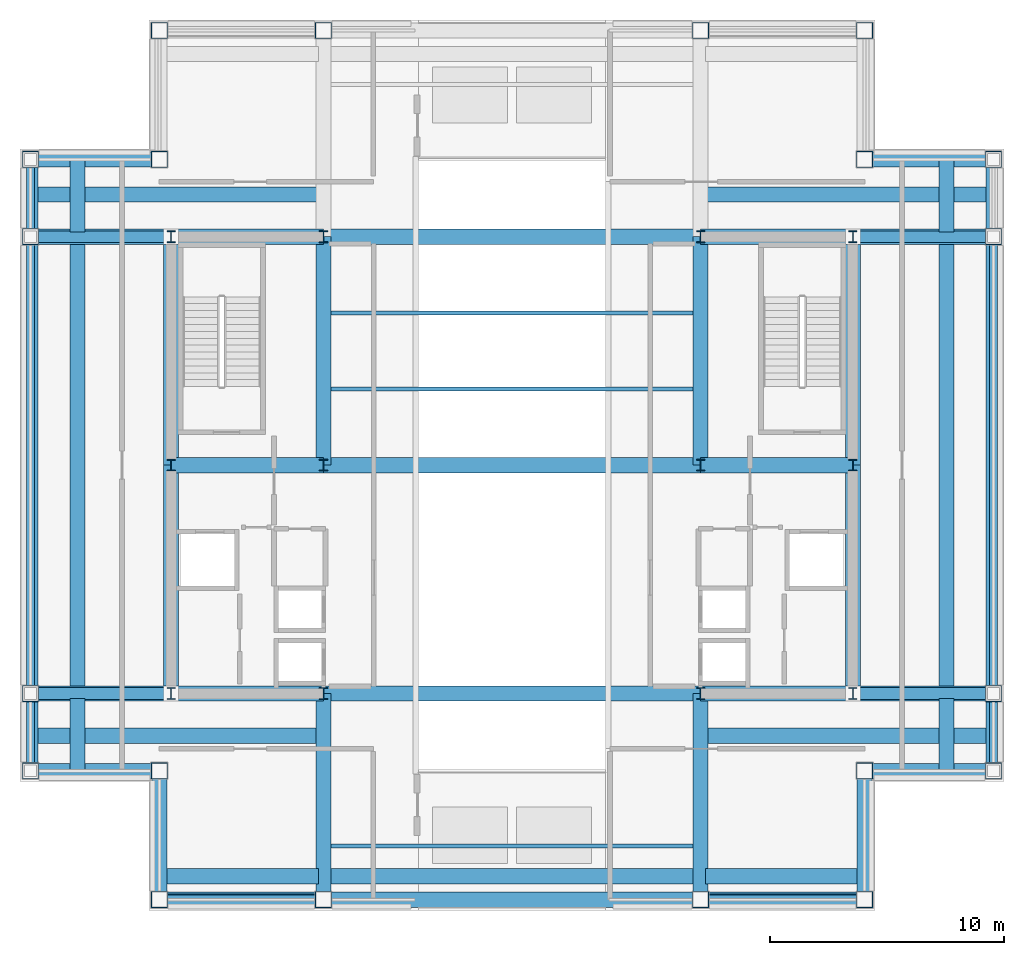
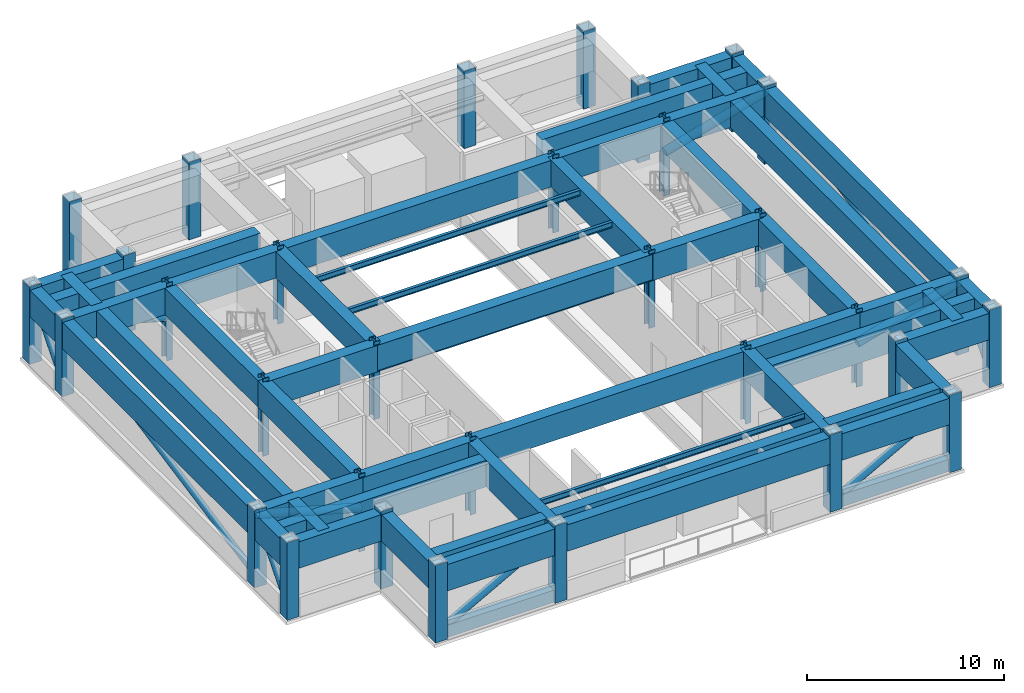
# One storey, part 1 of 8: 52 beams, 32 columns, 13 members.
"""IFC4 building model written with IfcOpenShell, lengths in metres."""

import ifcopenshell
import ifcopenshell.guid

model = None  # the IFC model being written
_history = None  # IfcOwnerHistory: only IFC2X3 demands one
_inside = {}  # id of a spatial element -> (the spatial element, [elements in it])
_under = {}  # id of a project, library or spatial element -> (it, [spatial elements below it])
_declared = {}  # id of a project -> (the project, [libraries it declares])
_typed = {}  # id of a type object -> (the type object, [elements of that type])
_made_of = {}  # id of a material, layer set ... -> (it, [elements and type objects made of it])


def new_model(schema):
    """Start an empty IFC model of exactly this schema.

    Asked for "IFC4X3", IfcOpenShell would pick the latest addendum, in which some entities
    have other attributes; the version numbers below select the first issue.
    IFC2X3 requires an IfcOwnerHistory on every rooted entity: one is made here for all.
    """
    global model, _history
    if schema == "IFC4X3":
        model = ifcopenshell.file(schema_version=(4, 3, 0, 0))
    else:
        model = ifcopenshell.file(schema=schema)
    _inside.clear()
    _under.clear()
    _declared.clear()
    _typed.clear()
    _made_of.clear()
    _history = None
    if model.schema == "IFC2X3":
        org = make("IfcOrganization", Name="unknown")
        user = make(
            "IfcPersonAndOrganization",
            ThePerson=make("IfcPerson", FamilyName="unknown"),
            TheOrganization=org,
        )
        app = make(
            "IfcApplication",
            ApplicationDeveloper=org,
            Version="unknown",
            ApplicationFullName="unknown",
            ApplicationIdentifier="unknown",
        )
        _history = make(
            "IfcOwnerHistory",
            OwningUser=user,
            OwningApplication=app,
            ChangeAction="ADDED",
            CreationDate=0,
        )
    return model


def make(cls, **values):
    """One entity of the class cls with the attributes given. An attribute that is None is left unset."""
    return model.create_entity(
        cls, **{name: value for name, value in values.items() if value is not None}
    )


def rooted(cls, **values):
    """An entity with a GlobalId (a new one), such as an element, a storey or a relation."""
    return make(cls, GlobalId=ifcopenshell.guid.new(), OwnerHistory=_history, **values)


def si_unit(unit_type, name, prefix=None):
    """IfcSIUnit, for example si_unit("LENGTHUNIT", "METRE", prefix="MILLI")."""
    return make("IfcSIUnit", UnitType=unit_type, Prefix=prefix, Name=name)


def assignment(units):
    """IfcUnitAssignment: the units of a project."""
    return None if units is None else make("IfcUnitAssignment", Units=units)


def point(xyz):
    """IfcCartesianPoint."""
    return None if xyz is None else make("IfcCartesianPoint", Coordinates=xyz)


def direction(xyz):
    """IfcDirection."""
    return None if xyz is None else make("IfcDirection", DirectionRatios=xyz)


def frame(location, z_axis=None, x_axis=None):
    """IfcAxis2Placement3D, a coordinate frame: its origin and axes. An axis left out is left unset."""
    return make(
        "IfcAxis2Placement3D",
        Location=point(location),
        Axis=direction(z_axis),
        RefDirection=direction(x_axis),
    )


def frame_2d(location, x_axis=None):
    """IfcAxis2Placement2D, a coordinate frame in the plane: its origin and x axis."""
    return make(
        "IfcAxis2Placement2D", Location=point(location), RefDirection=direction(x_axis)
    )


def origin():
    """The frame at (0, 0, 0) with its axes left unset."""
    return frame((0.0, 0.0, 0.0))


def origin_2d():
    """The frame at (0, 0) in the plane with its x axis left unset."""
    return frame_2d((0.0, 0.0))


def place(relative_to, where):
    """IfcLocalPlacement: puts the frame where relative to a parent placement (None: the world)."""
    return make(
        "IfcLocalPlacement", PlacementRelTo=relative_to, RelativePlacement=where
    )


def context(
    kind, dimensions, precision=None, world=None, true_north=None, identifier=None
):
    """IfcGeometricRepresentationContext, for example the 3D "Model" context."""
    return make(
        "IfcGeometricRepresentationContext",
        ContextIdentifier=identifier,
        ContextType=kind,
        CoordinateSpaceDimension=dimensions,
        Precision=precision,
        WorldCoordinateSystem=world,
        TrueNorth=true_north,
    )


def subcontext(parent, identifier, kind, view, scale=None):
    """IfcGeometricRepresentationSubContext, for example "Body" below "Model"."""
    return make(
        "IfcGeometricRepresentationSubContext",
        ContextIdentifier=identifier,
        ContextType=kind,
        ParentContext=parent,
        TargetScale=scale,
        TargetView=view,
    )


def project(units=None, contexts=None):
    """IfcProject with its units and contexts."""
    return rooted(
        "IfcProject",
        Name="project",
        RepresentationContexts=contexts,
        UnitsInContext=assignment(units),
    )


def spatial(cls, under=None, at=None, **own):
    """A site, building, storey or space (cls), placed at a placement, below another one or the project."""
    s = rooted(cls, ObjectPlacement=at, **own)
    if under is not None:
        _under.setdefault(under.id(), (under, []))[1].append(s)
    return s


def profile(cls, at=None, kind="AREA", **sizes):
    """A parametric profile (cls). Its sizes go by their IFC names, for example OverallWidth=200.0."""
    return make(cls, ProfileType=kind, Position=at, **sizes)


def hollow_rectangle(**sizes):
    """IfcRectangleHollowProfileDef."""
    return profile("IfcRectangleHollowProfileDef", **sizes)


def hollow_circle(**sizes):
    """IfcCircleHollowProfileDef."""
    return profile("IfcCircleHollowProfileDef", **sizes)


def i_section(**sizes):
    """IfcIShapeProfileDef."""
    return profile("IfcIShapeProfileDef", **sizes)


def extrude(swept, where, along, depth):
    """IfcExtrudedAreaSolid: the profile swept, set in the frame where, extruded along a direction by depth."""
    return make(
        "IfcExtrudedAreaSolid",
        SweptArea=swept,
        Position=where,
        ExtrudedDirection=direction(along),
        Depth=depth,
    )


def shape(context_of_items, identifier, shape_type, items):
    """IfcShapeRepresentation: the items that make up one representation, for example the "Body"."""
    return make(
        "IfcShapeRepresentation",
        ContextOfItems=context_of_items,
        RepresentationIdentifier=identifier,
        RepresentationType=shape_type,
        Items=items,
    )


def material(Name=None, Category=None):
    """IfcMaterial."""
    return make("IfcMaterial", Name=Name, Category=Category)


def material_profile(
    of_material, cross_section, Name=None, Category=None, Priority=None
):
    """IfcMaterialProfile: a cross section and its material."""
    return make(
        "IfcMaterialProfile",
        Name=Name,
        Material=of_material,
        Profile=cross_section,
        Priority=Priority,
        Category=Category,
    )


def profile_set(profiles, Name=None, composite=None):
    """IfcMaterialProfileSet."""
    return make(
        "IfcMaterialProfileSet",
        Name=Name,
        MaterialProfiles=profiles,
        CompositeProfile=composite,
    )


def made_of(thing, what):
    """Note that an element or type object is made of a material, layer set ...; save() writes the relation."""
    if what is not None:
        _made_of.setdefault(what.id(), (what, []))[1].append(thing)
    return thing


def type_object(cls, material=None, **own):
    """A type object (cls), such as IfcWallType, which elements share."""
    return made_of(rooted(cls, **own), material)


def element(
    cls,
    number,
    at=None,
    inside=None,
    cuts=None,
    type_object=None,
    material=None,
    context=None,
    identifier="Body",
    shape_type=None,
    held_by="IfcProductDefinitionShape",
    body=None,
    shapes=None,
    **own,
):
    """One element of the class cls, such as IfcWall. Its Tag is "e" and its number.

    at: its placement. inside: the storey or other place that contains it. cuts: it is an
    opening in that element (IfcRelVoidsElement). A single representation is given by context,
    identifier, shape_type and body (its items); several are given by shapes. held_by: the class
    of the entity that holds the representations. save() writes the other relations.
    """
    e = rooted(cls, Tag="e%d" % number, ObjectPlacement=at, **own)
    if body is not None:
        shapes = [shape(context, identifier, shape_type, body)]
    if shapes is not None:
        e.Representation = make(held_by, Representations=shapes)
    if inside is not None:
        _inside.setdefault(inside.id(), (inside, []))[1].append(e)
    if cuts is not None:
        rooted(
            "IfcRelVoidsElement", RelatingBuildingElement=cuts, RelatedOpeningElement=e
        )
    if type_object is not None:
        _typed.setdefault(type_object.id(), (type_object, []))[1].append(e)
    return made_of(e, material)


def aggregate(whole, parts):
    """IfcRelAggregates: a whole, such as a stair, and the parts it consists of."""
    return rooted("IfcRelAggregates", RelatingObject=whole, RelatedObjects=parts)


def save(model, path):
    """Write the relations noted so far, then the file.

    IfcRelAggregates (storeys below a building ...), IfcRelContainedInSpatialStructure (elements
    in a storey), IfcRelDefinesByType, IfcRelAssociatesMaterial and IfcRelDeclares: one each for
    every whole, place, type object, material and project.
    """
    for whole, parts in _under.values():
        aggregate(whole, parts)
    for where, things in _inside.values():
        rooted(
            "IfcRelContainedInSpatialStructure",
            RelatedElements=things,
            RelatingStructure=where,
        )
    for kind, things in _typed.values():
        rooted("IfcRelDefinesByType", RelatedObjects=things, RelatingType=kind)
    for what, things in _made_of.values():
        rooted("IfcRelAssociatesMaterial", RelatedObjects=things, RelatingMaterial=what)
    for by, libraries in _declared.values():
        rooted("IfcRelDeclares", RelatingContext=by, RelatedDefinitions=libraries)
    model.write(path)


model = new_model("IFC4")

# Units and contexts
model_context = context("Model", 3, precision=1e-05, world=origin(), true_north=direction((0.0, 1.0)))
body_context = subcontext(model_context, "Body", "Model", "MODEL_VIEW")
ifc_project = project(units=[si_unit("LENGTHUNIT", "METRE"), si_unit("AREAUNIT", "SQUARE_METRE"), si_unit("VOLUMEUNIT", "CUBIC_METRE"), si_unit("PLANEANGLEUNIT", "RADIAN"), si_unit("MASSUNIT", "GRAM", prefix="KILO")], contexts=[model_context])

# Site, building, storey
site_placement = place(None, origin())
site = spatial("IfcSite", under=ifc_project, at=site_placement, CompositionType="ELEMENT")
building_placement = place(site_placement, origin())
building = spatial("IfcBuilding", under=site, at=building_placement, Name="Brelmoor Portico Tower", CompositionType="ELEMENT")
storey_placement = place(building_placement, frame((0.0, 0.0, 209.10009765625)))
storey = spatial("IfcBuildingStorey", under=building, at=storey_placement, Name="L55", CompositionType="ELEMENT", Elevation=209.10009765625)

# Columns
ifc_material = material(Name="Steel Q355B", Category="steel")
ifc_material_profile_1 = material_profile(ifc_material, hollow_rectangle(XDim=0.699951171875, YDim=0.699951171875, WallThickness=0.030029296875, at=origin_2d()), Name="BOX 700x700x30")
ifc_profile_set_1 = profile_set([ifc_material_profile_1], Name="Steel Q355B")
column_type_1 = type_object("IfcColumnType", Name="COL-MEGA-700", PredefinedType="COLUMN", material=ifc_profile_set_1)
for number, where, z_axis, x_axis, name in (
    (1, (-15.050048828125, -18.550048828125, 0.0), (0.0, 0.0, 1.0), (1.0, 0.0, 0.0), "L55 Perimeter Mega-Column PS01"),
    (2, (-8.050048828125, -18.550048828125, 0.0), (0.0, 0.0, 1.0), (1.0, 0.0, 0.0), "L55 Perimeter Mega-Column PS02"),
    (3, (8.050048828125, -18.550048828125, 0.0), (0.0, 0.0, 1.0), (1.0, 0.0, 0.0), "L55 Perimeter Mega-Column PS03"),
    (4, (15.050048828125, -18.550048828125, 0.0), (0.0, 0.0, 1.0), (1.0, 0.0, 0.0), "L55 Perimeter Mega-Column PS04"),
    (5, (-15.050048828125, 18.550048828125, 0.0), (0.0, 0.0, 1.0), (1.0, 0.0, 0.0), "L55 Perimeter Mega-Column PN01"),
    (6, (-8.050048828125, 18.550048828125, 0.0), (0.0, 0.0, 1.0), (1.0, 0.0, 0.0), "L55 Perimeter Mega-Column PN02"),
    (7, (8.050048828125, 18.550048828125, 0.0), (0.0, 0.0, 1.0), (1.0, 0.0, 0.0), "L55 Perimeter Mega-Column PN03"),
    (8, (15.050048828125, 18.550048828125, 0.0), (0.0, 0.0, 1.0), (1.0, 0.0, 0.0), "L55 Perimeter Mega-Column PN04"),
    (9, (-20.550048828125, -13.050048828125, 0.0), (0.0, 0.0, 1.0), (0.0, 1.0, 0.0), "L55 Perimeter Mega-Column PW01"),
    (10, (-20.550048828125, -9.75, 0.0), (0.0, 0.0, 1.0), (0.0, 1.0, 0.0), "L55 Perimeter Mega-Column PW02"),
    (11, (-20.550048828125, 9.75, 0.0), (0.0, 0.0, 1.0), (0.0, 1.0, 0.0), "L55 Perimeter Mega-Column PW03"),
    (12, (-20.550048828125, 13.050048828125, 0.0), (0.0, 0.0, 1.0), (0.0, 1.0, 0.0), "L55 Perimeter Mega-Column PW04"),
    (13, (20.550048828125, -13.050048828125, 0.0), (0.0, 0.0, 1.0), (0.0, 1.0, 0.0), "L55 Perimeter Mega-Column PE01"),
    (14, (20.550048828125, -9.75, 0.0), (0.0, 0.0, 1.0), (0.0, 1.0, 0.0), "L55 Perimeter Mega-Column PE02"),
    (15, (20.550048828125, 9.75, 0.0), (0.0, 0.0, 1.0), (0.0, 1.0, 0.0), "L55 Perimeter Mega-Column PE03"),
    (16, (20.550048828125, 13.050048828125, 0.0), (0.0, 0.0, 1.0), (0.0, 1.0, 0.0), "L55 Perimeter Mega-Column PE04"),
    (17, (-15.050048828125, 13.050048828125, 0.0), (0.0, 0.0, 1.0), (1.0, 0.0, 0.0), "L55 Perimeter Mega-Column PC-NW"),
    (18, (15.050048828125, 13.050048828125, 0.0), (0.0, 0.0, 1.0), (1.0, 0.0, 0.0), "L55 Perimeter Mega-Column PC-NE"),
    (19, (15.050048828125, -13.050048828125, 0.0), (0.0, 0.0, 1.0), (1.0, 0.0, 0.0), "L55 Perimeter Mega-Column PC-SE"),
    (20, (-15.050048828125, -13.050048828125, 0.0), (0.0, 0.0, 1.0), (1.0, 0.0, 0.0), "L55 Perimeter Mega-Column PC-SW"),
):
    element("IfcColumn", number, at=place(storey_placement, frame(where, z_axis=z_axis, x_axis=x_axis)), inside=storey, type_object=column_type_1, Name=name, PredefinedType="COLUMN", context=body_context, shape_type="SweptSolid", body=[
        extrude(hollow_rectangle(XDim=0.699951171875, YDim=0.699951171875, WallThickness=0.030029296875, at=origin_2d()), origin(), (0.0, 0.0, 1.0), 4.7998046875),
    ])
ifc_material_profile_2 = material_profile(ifc_material, i_section(OverallWidth=0.35009765625, OverallDepth=0.5, WebThickness=0.02001953125, FlangeThickness=0.031982421875, at=origin_2d()), Name="HW 500x350x20x32")
ifc_profile_set_2 = profile_set([ifc_material_profile_2], Name="Steel Q355B")
column_type_2 = type_object("IfcColumnType", Name="COL-SPINE-500", PredefinedType="COLUMN", material=ifc_profile_set_2)
for number, where, z_axis, x_axis, name in (
    (21, (-14.550048828125, -9.75, 0.0), (0.0, 0.0, 1.0), (1.0, 0.0, 0.0), "L55 Core Spine Column CW-SW"),
    (22, (-14.550048828125, 0.0, 0.0), (0.0, 0.0, 1.0), (1.0, 0.0, 0.0), "L55 Core Spine Column CW-MW"),
    (23, (-14.550048828125, 9.75, 0.0), (0.0, 0.0, 1.0), (1.0, 0.0, 0.0), "L55 Core Spine Column CW-NW"),
    (24, (-8.050048828125, -9.75, 0.0), (0.0, 0.0, 1.0), (1.0, 0.0, 0.0), "L55 Core Spine Column CW-SE"),
    (25, (-8.050048828125, 0.0, 0.0), (0.0, 0.0, 1.0), (1.0, 0.0, 0.0), "L55 Core Spine Column CW-ME"),
    (26, (-8.050048828125, 9.75, 0.0), (0.0, 0.0, 1.0), (1.0, 0.0, 0.0), "L55 Core Spine Column CW-NE"),
    (27, (8.050048828125, -9.75, 0.0), (0.0, 0.0, 1.0), (1.0, 0.0, 0.0), "L55 Core Spine Column CE-SW"),
    (28, (8.050048828125, 0.0, 0.0), (0.0, 0.0, 1.0), (1.0, 0.0, 0.0), "L55 Core Spine Column CE-MW"),
    (29, (8.050048828125, 9.75, 0.0), (0.0, 0.0, 1.0), (1.0, 0.0, 0.0), "L55 Core Spine Column CE-NW"),
    (30, (14.550048828125, -9.75, 0.0), (0.0, 0.0, 1.0), (1.0, 0.0, 0.0), "L55 Core Spine Column CE-SE"),
    (31, (14.550048828125, 0.0, 0.0), (0.0, 0.0, 1.0), (1.0, 0.0, 0.0), "L55 Core Spine Column CE-ME"),
    (32, (14.550048828125, 9.75, 0.0), (0.0, 0.0, 1.0), (1.0, 0.0, 0.0), "L55 Core Spine Column CE-NE"),
):
    element("IfcColumn", number, at=place(storey_placement, frame(where, z_axis=z_axis, x_axis=x_axis)), inside=storey, type_object=column_type_2, Name=name, PredefinedType="COLUMN", context=body_context, shape_type="SweptSolid", body=[
        extrude(i_section(OverallWidth=0.35009765625, OverallDepth=0.5, WebThickness=0.02001953125, FlangeThickness=0.031982421875, at=origin_2d()), origin(), (0.0, 0.0, 1.0), 4.7998046875),
    ])

# Beams
ifc_material_profile_3 = material_profile(ifc_material, i_section(OverallWidth=0.175048828125, OverallDepth=0.35009765625, WebThickness=0.007080078125, FlangeThickness=0.010986328125, at=origin_2d()), Name="HN 350x175x7x11")
ifc_profile_set_3 = profile_set([ifc_material_profile_3], Name="Steel Q355B")
beam_type_1 = type_object("IfcBeamType", Name="BM-JS-350", PredefinedType="JOIST", material=ifc_profile_set_3)
for number, where, z_axis, x_axis, name in (
    (33, (-7.72509765625, -16.25, 4.4248046875), (1.0, 0.0, 0.0), (0.0, 1.0, 0.0), "L55 Secondary Composite Joist JS-C01"),
    (34, (-7.72509765625, 3.25, 4.4248046875), (1.0, 0.0, 0.0), (0.0, 1.0, 0.0), "L55 Secondary Composite Joist JS-C02"),
    (35, (-7.72509765625, 6.5, 4.4248046875), (1.0, 0.0, 0.0), (0.0, 1.0, 0.0), "L55 Secondary Composite Joist JS-C03"),
):
    element("IfcBeam", number, at=place(storey_placement, frame(where, z_axis=z_axis, x_axis=x_axis)), inside=storey, type_object=beam_type_1, Name=name, PredefinedType="JOIST", context=body_context, shape_type="SweptSolid", body=[
        extrude(i_section(OverallWidth=0.175048828125, OverallDepth=0.35009765625, WebThickness=0.007080078125, FlangeThickness=0.010986328125, at=origin_2d()), origin(), (0.0, 0.0, 1.0), 15.4501953125),
    ])
ifc_material_profile_4 = material_profile(ifc_material, hollow_rectangle(XDim=0.64990234375, YDim=1.639892578125, WallThickness=0.035888671875, at=origin_2d()), Name="BOX 650x1640x36")
ifc_profile_set_4 = profile_set([ifc_material_profile_4], Name="Steel Q355B")
beam_type_2 = type_object("IfcBeamType", Name="BM-TG-Z4", PredefinedType="BEAM", material=ifc_profile_set_4)
beam_1_placement = place(storey_placement, frame((-15.050048828125, -18.550048828125, 3.77978515625), z_axis=(1.0, 0.0, 0.0), x_axis=(0.0, 1.0, 0.0)))
element("IfcBeam", 36, at=beam_1_placement, inside=storey, type_object=beam_type_2, Name="L55 Perimeter Transfer Beam SP-01", PredefinedType="BEAM", context=body_context, shape_type="SweptSolid", body=[
    extrude(hollow_rectangle(XDim=0.64990234375, YDim=1.639892578125, WallThickness=0.035888671875, at=origin_2d()), origin(), (0.0, 0.0, 1.0), 7.0),
])
beam_2_placement = place(storey_placement, frame((-8.050048828125, -18.550048828125, 3.77978515625), z_axis=(1.0, 0.0, 0.0), x_axis=(0.0, 1.0, 0.0)))
element("IfcBeam", 37, at=beam_2_placement, inside=storey, type_object=beam_type_2, Name="L55 Perimeter Transfer Beam SP-02", PredefinedType="BEAM", context=body_context, shape_type="SweptSolid", body=[
    extrude(hollow_rectangle(XDim=0.64990234375, YDim=1.639892578125, WallThickness=0.035888671875, at=origin_2d()), origin(), (0.0, 0.0, 1.0), 16.10009765625),
])
beam_3_placement = place(storey_placement, frame((8.050048828125, -18.550048828125, 3.77978515625), z_axis=(1.0, 0.0, 0.0), x_axis=(0.0, 1.0, 0.0)))
element("IfcBeam", 38, at=beam_3_placement, inside=storey, type_object=beam_type_2, Name="L55 Perimeter Transfer Beam SP-03", PredefinedType="BEAM", context=body_context, shape_type="SweptSolid", body=[
    extrude(hollow_rectangle(XDim=0.64990234375, YDim=1.639892578125, WallThickness=0.035888671875, at=origin_2d()), origin(), (0.0, 0.0, 1.0), 7.0),
])
for number, where, z_axis, x_axis, name in (
    (39, (-20.550048828125, -13.050048828125, 3.77978515625), (1.0, 0.0, 0.0), (0.0, 1.0, 0.0), "L55 Perimeter Transfer Beam SP-04"),
    (40, (15.050048828125, -13.050048828125, 3.77978515625), (1.0, 0.0, 0.0), (0.0, 1.0, 0.0), "L55 Perimeter Transfer Beam SP-05"),
    (41, (-20.550048828125, 13.050048828125, 3.77978515625), (1.0, 0.0, 0.0), (0.0, 1.0, 0.0), "L55 Perimeter Transfer Beam SP-06"),
    (42, (15.050048828125, 13.050048828125, 3.77978515625), (1.0, 0.0, 0.0), (0.0, 1.0, 0.0), "L55 Perimeter Transfer Beam SP-07"),
):
    element("IfcBeam", number, at=place(storey_placement, frame(where, z_axis=z_axis, x_axis=x_axis)), inside=storey, type_object=beam_type_2, Name=name, PredefinedType="BEAM", context=body_context, shape_type="SweptSolid", body=[
        extrude(hollow_rectangle(XDim=0.64990234375, YDim=1.639892578125, WallThickness=0.035888671875, at=origin_2d()), origin(), (0.0, 0.0, 1.0), 5.5),
    ])
beam_4_placement = place(storey_placement, frame((-20.550048828125, -13.050048828125, 3.77978515625), z_axis=(0.0, 1.0, 0.0), x_axis=(-1.0, 0.0, 0.0)))
element("IfcBeam", 43, at=beam_4_placement, inside=storey, type_object=beam_type_2, Name="L55 Perimeter Transfer Beam SP-11", PredefinedType="BEAM", context=body_context, shape_type="SweptSolid", body=[
    extrude(hollow_rectangle(XDim=0.64990234375, YDim=1.639892578125, WallThickness=0.035888671875, at=origin_2d()), origin(), (0.0, 0.0, 1.0), 3.300048828125),
])
beam_5_placement = place(storey_placement, frame((-20.550048828125, -9.75, 3.77978515625), z_axis=(0.0, 1.0, 0.0), x_axis=(-1.0, 0.0, 0.0)))
element("IfcBeam", 44, at=beam_5_placement, inside=storey, type_object=beam_type_2, Name="L55 Perimeter Transfer Beam SP-12", PredefinedType="BEAM", context=body_context, shape_type="SweptSolid", body=[
    extrude(hollow_rectangle(XDim=0.64990234375, YDim=1.639892578125, WallThickness=0.035888671875, at=origin_2d()), origin(), (0.0, 0.0, 1.0), 19.5),
])
beam_6_placement = place(storey_placement, frame((-20.550048828125, 9.75, 3.77978515625), z_axis=(0.0, 1.0, 0.0), x_axis=(-1.0, 0.0, 0.0)))
element("IfcBeam", 45, at=beam_6_placement, inside=storey, type_object=beam_type_2, Name="L55 Perimeter Transfer Beam SP-13", PredefinedType="BEAM", context=body_context, shape_type="SweptSolid", body=[
    extrude(hollow_rectangle(XDim=0.64990234375, YDim=1.639892578125, WallThickness=0.035888671875, at=origin_2d()), origin(), (0.0, 0.0, 1.0), 3.300048828125),
])
for number, where, z_axis, x_axis, name in (
    (46, (-15.050048828125, -18.550048828125, 3.77978515625), (0.0, 1.0, 0.0), (-1.0, 0.0, 0.0), "L55 Perimeter Transfer Beam SP-14"),
    (47, (15.050048828125, -18.550048828125, 3.77978515625), (0.0, 1.0, 0.0), (-1.0, 0.0, 0.0), "L55 Perimeter Transfer Beam SP-16"),
):
    element("IfcBeam", number, at=place(storey_placement, frame(where, z_axis=z_axis, x_axis=x_axis)), inside=storey, type_object=beam_type_2, Name=name, PredefinedType="BEAM", context=body_context, shape_type="SweptSolid", body=[
        extrude(hollow_rectangle(XDim=0.64990234375, YDim=1.639892578125, WallThickness=0.035888671875, at=origin_2d()), origin(), (0.0, 0.0, 1.0), 5.5),
    ])
beam_7_placement = place(storey_placement, frame((20.550048828125, -13.050048828125, 3.77978515625), z_axis=(0.0, 1.0, 0.0), x_axis=(-1.0, 0.0, 0.0)))
element("IfcBeam", 48, at=beam_7_placement, inside=storey, type_object=beam_type_2, Name="L55 Perimeter Transfer Beam SP-18", PredefinedType="BEAM", context=body_context, shape_type="SweptSolid", body=[
    extrude(hollow_rectangle(XDim=0.64990234375, YDim=1.639892578125, WallThickness=0.035888671875, at=origin_2d()), origin(), (0.0, 0.0, 1.0), 3.300048828125),
])
beam_8_placement = place(storey_placement, frame((20.550048828125, -9.75, 3.77978515625), z_axis=(0.0, 1.0, 0.0), x_axis=(-1.0, 0.0, 0.0)))
element("IfcBeam", 49, at=beam_8_placement, inside=storey, type_object=beam_type_2, Name="L55 Perimeter Transfer Beam SP-19", PredefinedType="BEAM", context=body_context, shape_type="SweptSolid", body=[
    extrude(hollow_rectangle(XDim=0.64990234375, YDim=1.639892578125, WallThickness=0.035888671875, at=origin_2d()), origin(), (0.0, 0.0, 1.0), 19.5),
])
beam_9_placement = place(storey_placement, frame((20.550048828125, 9.75, 3.77978515625), z_axis=(0.0, 1.0, 0.0), x_axis=(-1.0, 0.0, 0.0)))
element("IfcBeam", 50, at=beam_9_placement, inside=storey, type_object=beam_type_2, Name="L55 Perimeter Transfer Beam SP-20", PredefinedType="BEAM", context=body_context, shape_type="SweptSolid", body=[
    extrude(hollow_rectangle(XDim=0.64990234375, YDim=1.639892578125, WallThickness=0.035888671875, at=origin_2d()), origin(), (0.0, 0.0, 1.0), 3.300048828125),
])
for number, where, z_axis, x_axis, name in (
    (51, (-14.550048828125, -9.75, 3.77978515625), (0.0, 1.0, 0.0), (-1.0, 0.0, 0.0), "L55 Setback Transfer Girder PG-01"),
    (52, (-14.550048828125, 0.0, 3.77978515625), (0.0, 1.0, 0.0), (-1.0, 0.0, 0.0), "L55 Setback Transfer Girder PG-02"),
):
    element("IfcBeam", number, at=place(storey_placement, frame(where, z_axis=z_axis, x_axis=x_axis)), inside=storey, type_object=beam_type_2, Name=name, PredefinedType="BEAM", context=body_context, shape_type="SweptSolid", body=[
        extrude(hollow_rectangle(XDim=0.64990234375, YDim=1.639892578125, WallThickness=0.035888671875, at=origin_2d()), origin(), (0.0, 0.0, 1.0), 9.75),
    ])
beam_10_placement = place(storey_placement, frame((-8.050048828125, -18.550048828125, 3.77978515625), z_axis=(0.0, 1.0, 0.0), x_axis=(-1.0, 0.0, 0.0)))
element("IfcBeam", 53, at=beam_10_placement, inside=storey, type_object=beam_type_2, Name="L55 Setback Transfer Girder PG-03", PredefinedType="BEAM", context=body_context, shape_type="SweptSolid", body=[
    extrude(hollow_rectangle(XDim=0.64990234375, YDim=1.639892578125, WallThickness=0.035888671875, at=origin_2d()), origin(), (0.0, 0.0, 1.0), 8.800048828125),
])
beam_11_placement = place(storey_placement, frame((-8.050048828125, 0.0, 3.77978515625), z_axis=(0.0, 1.0, 0.0), x_axis=(-1.0, 0.0, 0.0)))
element("IfcBeam", 54, at=beam_11_placement, inside=storey, type_object=beam_type_2, Name="L55 Setback Transfer Girder PG-04", PredefinedType="BEAM", context=body_context, shape_type="SweptSolid", body=[
    extrude(hollow_rectangle(XDim=0.64990234375, YDim=1.639892578125, WallThickness=0.035888671875, at=origin_2d()), origin(), (0.0, 0.0, 1.0), 9.75),
])
beam_12_placement = place(storey_placement, frame((8.050048828125, -18.550048828125, 3.77978515625), z_axis=(0.0, 1.0, 0.0), x_axis=(-1.0, 0.0, 0.0)))
element("IfcBeam", 55, at=beam_12_placement, inside=storey, type_object=beam_type_2, Name="L55 Setback Transfer Girder PG-06", PredefinedType="BEAM", context=body_context, shape_type="SweptSolid", body=[
    extrude(hollow_rectangle(XDim=0.64990234375, YDim=1.639892578125, WallThickness=0.035888671875, at=origin_2d()), origin(), (0.0, 0.0, 1.0), 8.800048828125),
])
for number, where, z_axis, x_axis, name in (
    (56, (8.050048828125, 0.0, 3.77978515625), (0.0, 1.0, 0.0), (-1.0, 0.0, 0.0), "L55 Setback Transfer Girder PG-07"),
    (57, (14.550048828125, -9.75, 3.77978515625), (0.0, 1.0, 0.0), (-1.0, 0.0, 0.0), "L55 Setback Transfer Girder PG-09"),
    (58, (14.550048828125, 0.0, 3.77978515625), (0.0, 1.0, 0.0), (-1.0, 0.0, 0.0), "L55 Setback Transfer Girder PG-10"),
):
    element("IfcBeam", number, at=place(storey_placement, frame(where, z_axis=z_axis, x_axis=x_axis)), inside=storey, type_object=beam_type_2, Name=name, PredefinedType="BEAM", context=body_context, shape_type="SweptSolid", body=[
        extrude(hollow_rectangle(XDim=0.64990234375, YDim=1.639892578125, WallThickness=0.035888671875, at=origin_2d()), origin(), (0.0, 0.0, 1.0), 9.75),
    ])
beam_13_placement = place(storey_placement, frame((-20.550048828125, -9.75, 3.77978515625), z_axis=(1.0, 0.0, 0.0), x_axis=(0.0, 1.0, 0.0)))
element("IfcBeam", 59, at=beam_13_placement, inside=storey, type_object=beam_type_2, Name="L55 Setback Transfer Girder PG-11", PredefinedType="BEAM", context=body_context, shape_type="SweptSolid", body=[
    extrude(hollow_rectangle(XDim=0.64990234375, YDim=1.639892578125, WallThickness=0.035888671875, at=origin_2d()), origin(), (0.0, 0.0, 1.0), 6.0),
])
beam_14_placement = place(storey_placement, frame((-14.550048828125, -9.75, 3.77978515625), z_axis=(1.0, 0.0, 0.0), x_axis=(0.0, 1.0, 0.0)))
element("IfcBeam", 60, at=beam_14_placement, inside=storey, type_object=beam_type_2, Name="L55 Setback Transfer Girder PG-12", PredefinedType="BEAM", context=body_context, shape_type="SweptSolid", body=[
    extrude(hollow_rectangle(XDim=0.64990234375, YDim=1.639892578125, WallThickness=0.035888671875, at=origin_2d()), origin(), (0.0, 0.0, 1.0), 6.5),
])
beam_15_placement = place(storey_placement, frame((-8.050048828125, -9.75, 3.77978515625), z_axis=(1.0, 0.0, 0.0), x_axis=(0.0, 1.0, 0.0)))
element("IfcBeam", 61, at=beam_15_placement, inside=storey, type_object=beam_type_2, Name="L55 Setback Transfer Girder PG-13", PredefinedType="BEAM", context=body_context, shape_type="SweptSolid", body=[
    extrude(hollow_rectangle(XDim=0.64990234375, YDim=1.639892578125, WallThickness=0.035888671875, at=origin_2d()), origin(), (0.0, 0.0, 1.0), 16.10009765625),
])
beam_16_placement = place(storey_placement, frame((8.050048828125, -9.75, 3.77978515625), z_axis=(1.0, 0.0, 0.0), x_axis=(0.0, 1.0, 0.0)))
element("IfcBeam", 62, at=beam_16_placement, inside=storey, type_object=beam_type_2, Name="L55 Setback Transfer Girder PG-14", PredefinedType="BEAM", context=body_context, shape_type="SweptSolid", body=[
    extrude(hollow_rectangle(XDim=0.64990234375, YDim=1.639892578125, WallThickness=0.035888671875, at=origin_2d()), origin(), (0.0, 0.0, 1.0), 6.5),
])
beam_17_placement = place(storey_placement, frame((14.550048828125, -9.75, 3.77978515625), z_axis=(1.0, 0.0, 0.0), x_axis=(0.0, 1.0, 0.0)))
element("IfcBeam", 63, at=beam_17_placement, inside=storey, type_object=beam_type_2, Name="L55 Setback Transfer Girder PG-15", PredefinedType="BEAM", context=body_context, shape_type="SweptSolid", body=[
    extrude(hollow_rectangle(XDim=0.64990234375, YDim=1.639892578125, WallThickness=0.035888671875, at=origin_2d()), origin(), (0.0, 0.0, 1.0), 6.0),
])
beam_18_placement = place(storey_placement, frame((-14.550048828125, 0.0, 3.77978515625), z_axis=(1.0, 0.0, 0.0), x_axis=(0.0, 1.0, 0.0)))
element("IfcBeam", 64, at=beam_18_placement, inside=storey, type_object=beam_type_2, Name="L55 Setback Transfer Girder PG-16", PredefinedType="BEAM", context=body_context, shape_type="SweptSolid", body=[
    extrude(hollow_rectangle(XDim=0.64990234375, YDim=1.639892578125, WallThickness=0.035888671875, at=origin_2d()), origin(), (0.0, 0.0, 1.0), 6.5),
])
beam_19_placement = place(storey_placement, frame((-8.050048828125, 0.0, 3.77978515625), z_axis=(1.0, 0.0, 0.0), x_axis=(0.0, 1.0, 0.0)))
element("IfcBeam", 65, at=beam_19_placement, inside=storey, type_object=beam_type_2, Name="L55 Setback Transfer Girder PG-17", PredefinedType="BEAM", context=body_context, shape_type="SweptSolid", body=[
    extrude(hollow_rectangle(XDim=0.64990234375, YDim=1.639892578125, WallThickness=0.035888671875, at=origin_2d()), origin(), (0.0, 0.0, 1.0), 16.10009765625),
])
beam_20_placement = place(storey_placement, frame((8.050048828125, 0.0, 3.77978515625), z_axis=(1.0, 0.0, 0.0), x_axis=(0.0, 1.0, 0.0)))
element("IfcBeam", 66, at=beam_20_placement, inside=storey, type_object=beam_type_2, Name="L55 Setback Transfer Girder PG-18", PredefinedType="BEAM", context=body_context, shape_type="SweptSolid", body=[
    extrude(hollow_rectangle(XDim=0.64990234375, YDim=1.639892578125, WallThickness=0.035888671875, at=origin_2d()), origin(), (0.0, 0.0, 1.0), 6.5),
])
beam_21_placement = place(storey_placement, frame((-20.550048828125, 9.75, 3.77978515625), z_axis=(1.0, 0.0, 0.0), x_axis=(0.0, 1.0, 0.0)))
element("IfcBeam", 67, at=beam_21_placement, inside=storey, type_object=beam_type_2, Name="L55 Setback Transfer Girder PG-19", PredefinedType="BEAM", context=body_context, shape_type="SweptSolid", body=[
    extrude(hollow_rectangle(XDim=0.64990234375, YDim=1.639892578125, WallThickness=0.035888671875, at=origin_2d()), origin(), (0.0, 0.0, 1.0), 6.0),
])
beam_22_placement = place(storey_placement, frame((-14.550048828125, 9.75, 3.77978515625), z_axis=(1.0, 0.0, 0.0), x_axis=(0.0, 1.0, 0.0)))
element("IfcBeam", 68, at=beam_22_placement, inside=storey, type_object=beam_type_2, Name="L55 Setback Transfer Girder PG-20", PredefinedType="BEAM", context=body_context, shape_type="SweptSolid", body=[
    extrude(hollow_rectangle(XDim=0.64990234375, YDim=1.639892578125, WallThickness=0.035888671875, at=origin_2d()), origin(), (0.0, 0.0, 1.0), 6.5),
])
beam_23_placement = place(storey_placement, frame((-8.050048828125, 9.75, 3.77978515625), z_axis=(1.0, 0.0, 0.0), x_axis=(0.0, 1.0, 0.0)))
element("IfcBeam", 69, at=beam_23_placement, inside=storey, type_object=beam_type_2, Name="L55 Setback Transfer Girder PG-21", PredefinedType="BEAM", context=body_context, shape_type="SweptSolid", body=[
    extrude(hollow_rectangle(XDim=0.64990234375, YDim=1.639892578125, WallThickness=0.035888671875, at=origin_2d()), origin(), (0.0, 0.0, 1.0), 16.10009765625),
])
beam_24_placement = place(storey_placement, frame((8.050048828125, 9.75, 3.77978515625), z_axis=(1.0, 0.0, 0.0), x_axis=(0.0, 1.0, 0.0)))
element("IfcBeam", 70, at=beam_24_placement, inside=storey, type_object=beam_type_2, Name="L55 Setback Transfer Girder PG-22", PredefinedType="BEAM", context=body_context, shape_type="SweptSolid", body=[
    extrude(hollow_rectangle(XDim=0.64990234375, YDim=1.639892578125, WallThickness=0.035888671875, at=origin_2d()), origin(), (0.0, 0.0, 1.0), 6.5),
])
beam_25_placement = place(storey_placement, frame((14.550048828125, 9.75, 3.77978515625), z_axis=(1.0, 0.0, 0.0), x_axis=(0.0, 1.0, 0.0)))
element("IfcBeam", 71, at=beam_25_placement, inside=storey, type_object=beam_type_2, Name="L55 Setback Transfer Girder PG-23", PredefinedType="BEAM", context=body_context, shape_type="SweptSolid", body=[
    extrude(hollow_rectangle(XDim=0.64990234375, YDim=1.639892578125, WallThickness=0.035888671875, at=origin_2d()), origin(), (0.0, 0.0, 1.0), 6.0),
])
beam_26_placement = place(storey_placement, frame((-15.050048828125, -17.550048828125, 3.77978515625), z_axis=(1.0, 0.0, 0.0), x_axis=(0.0, 1.0, 0.0)))
element("IfcBeam", 72, at=beam_26_placement, inside=storey, type_object=beam_type_2, Name="L55 Setback Transfer Girder TGN-01", PredefinedType="BEAM", context=body_context, shape_type="SweptSolid", body=[
    extrude(hollow_rectangle(XDim=0.64990234375, YDim=1.639892578125, WallThickness=0.035888671875, at=origin_2d()), origin(), (0.0, 0.0, 1.0), 6.800048828125),
])
beam_27_placement = place(storey_placement, frame((-7.85009765625, -17.550048828125, 3.77978515625), z_axis=(1.0, 0.0, 0.0), x_axis=(0.0, 1.0, 0.0)))
element("IfcBeam", 73, at=beam_27_placement, inside=storey, type_object=beam_type_2, Name="L55 Setback Transfer Girder TGN-02", PredefinedType="BEAM", context=body_context, shape_type="SweptSolid", body=[
    extrude(hollow_rectangle(XDim=0.64990234375, YDim=1.639892578125, WallThickness=0.035888671875, at=origin_2d()), origin(), (0.0, 0.0, 1.0), 15.7001953125),
])
beam_28_placement = place(storey_placement, frame((8.25, -17.550048828125, 3.77978515625), z_axis=(1.0, 0.0, 0.0), x_axis=(0.0, 1.0, 0.0)))
element("IfcBeam", 74, at=beam_28_placement, inside=storey, type_object=beam_type_2, Name="L55 Setback Transfer Girder TGN-03", PredefinedType="BEAM", context=body_context, shape_type="SweptSolid", body=[
    extrude(hollow_rectangle(XDim=0.64990234375, YDim=1.639892578125, WallThickness=0.035888671875, at=origin_2d()), origin(), (0.0, 0.0, 1.0), 6.800048828125),
])
for number, where, z_axis, x_axis, name in (
    (75, (-20.550048828125, -11.550048828125, 3.77978515625), (1.0, 0.0, 0.0), (0.0, 1.0, 0.0), "L55 Setback Transfer Girder TGN-07"),
    (76, (8.25, -11.550048828125, 3.77978515625), (1.0, 0.0, 0.0), (0.0, 1.0, 0.0), "L55 Setback Transfer Girder TGN-08"),
    (77, (-20.550048828125, 11.550048828125, 3.77978515625), (1.0, 0.0, 0.0), (0.0, 1.0, 0.0), "L55 Setback Transfer Girder TGN-09"),
    (78, (8.25, 11.550048828125, 3.77978515625), (1.0, 0.0, 0.0), (0.0, 1.0, 0.0), "L55 Setback Transfer Girder TGN-10"),
):
    element("IfcBeam", number, at=place(storey_placement, frame(where, z_axis=z_axis, x_axis=x_axis)), inside=storey, type_object=beam_type_2, Name=name, PredefinedType="BEAM", context=body_context, shape_type="SweptSolid", body=[
        extrude(hollow_rectangle(XDim=0.64990234375, YDim=1.639892578125, WallThickness=0.035888671875, at=origin_2d()), origin(), (0.0, 0.0, 1.0), 12.300048828125),
    ])
beam_29_placement = place(storey_placement, frame((-18.550048828125, -13.050048828125, 3.77978515625), z_axis=(0.0, 1.0, 0.0), x_axis=(-1.0, 0.0, 0.0)))
element("IfcBeam", 79, at=beam_29_placement, inside=storey, type_object=beam_type_2, Name="L55 Setback Transfer Girder TGN-11", PredefinedType="BEAM", context=body_context, shape_type="SweptSolid", body=[
    extrude(hollow_rectangle(XDim=0.64990234375, YDim=1.639892578125, WallThickness=0.035888671875, at=origin_2d()), origin(), (0.0, 0.0, 1.0), 3.10009765625),
])
beam_30_placement = place(storey_placement, frame((-18.550048828125, -9.550048828125, 3.77978515625), z_axis=(0.0, 1.0, 0.0), x_axis=(-1.0, 0.0, 0.0)))
element("IfcBeam", 80, at=beam_30_placement, inside=storey, type_object=beam_type_2, Name="L55 Setback Transfer Girder TGN-12", PredefinedType="BEAM", context=body_context, shape_type="SweptSolid", body=[
    extrude(hollow_rectangle(XDim=0.64990234375, YDim=1.639892578125, WallThickness=0.035888671875, at=origin_2d()), origin(), (0.0, 0.0, 1.0), 19.10009765625),
])
for number, where, z_axis, x_axis, name in (
    (81, (-18.550048828125, 9.949951171875, 3.77978515625), (0.0, 1.0, 0.0), (-1.0, 0.0, 0.0), "L55 Setback Transfer Girder TGN-13"),
    (82, (18.550048828125, -13.050048828125, 3.77978515625), (0.0, 1.0, 0.0), (-1.0, 0.0, 0.0), "L55 Setback Transfer Girder TGN-14"),
):
    element("IfcBeam", number, at=place(storey_placement, frame(where, z_axis=z_axis, x_axis=x_axis)), inside=storey, type_object=beam_type_2, Name=name, PredefinedType="BEAM", context=body_context, shape_type="SweptSolid", body=[
        extrude(hollow_rectangle(XDim=0.64990234375, YDim=1.639892578125, WallThickness=0.035888671875, at=origin_2d()), origin(), (0.0, 0.0, 1.0), 3.10009765625),
    ])
beam_31_placement = place(storey_placement, frame((18.550048828125, -9.550048828125, 3.77978515625), z_axis=(0.0, 1.0, 0.0), x_axis=(-1.0, 0.0, 0.0)))
element("IfcBeam", 83, at=beam_31_placement, inside=storey, type_object=beam_type_2, Name="L55 Setback Transfer Girder TGN-15", PredefinedType="BEAM", context=body_context, shape_type="SweptSolid", body=[
    extrude(hollow_rectangle(XDim=0.64990234375, YDim=1.639892578125, WallThickness=0.035888671875, at=origin_2d()), origin(), (0.0, 0.0, 1.0), 19.10009765625),
])
beam_32_placement = place(storey_placement, frame((18.550048828125, 9.949951171875, 3.77978515625), z_axis=(0.0, 1.0, 0.0), x_axis=(-1.0, 0.0, 0.0)))
element("IfcBeam", 84, at=beam_32_placement, inside=storey, type_object=beam_type_2, Name="L55 Setback Transfer Girder TGN-16", PredefinedType="BEAM", context=body_context, shape_type="SweptSolid", body=[
    extrude(hollow_rectangle(XDim=0.64990234375, YDim=1.639892578125, WallThickness=0.035888671875, at=origin_2d()), origin(), (0.0, 0.0, 1.0), 3.10009765625),
])

# Members
ifc_material_profile_5 = material_profile(ifc_material, hollow_rectangle(XDim=0.5, YDim=0.75, WallThickness=0.030029296875, at=origin_2d()), Name="RHS 500x750x30")
ifc_profile_set_5 = profile_set([ifc_material_profile_5], Name="Steel Q355B")
member_type_1 = type_object("IfcMemberType", Name="MB-BELT-CHORD", PredefinedType="CHORD", material=ifc_profile_set_5)
for number, where, z_axis, x_axis, name in (
    (85, (-15.050048828125, -18.550048828125, 0.39990234375), (1.0, 0.0, 0.0), (0.0, 1.0, 0.0), "L55 Belt Truss Bottom Chord BC-01"),
    (86, (8.050048828125, -18.550048828125, 0.39990234375), (1.0, 0.0, 0.0), (0.0, 1.0, 0.0), "L55 Belt Truss Bottom Chord BC-02"),
):
    element("IfcMember", number, at=place(storey_placement, frame(where, z_axis=z_axis, x_axis=x_axis)), inside=storey, type_object=member_type_1, Name=name, PredefinedType="CHORD", context=body_context, shape_type="SweptSolid", body=[
        extrude(hollow_rectangle(XDim=0.5, YDim=0.75, WallThickness=0.030029296875, at=origin_2d()), origin(), (0.0, 0.0, 1.0), 7.0),
    ])
ifc_material_profile_6 = material_profile(ifc_material, hollow_circle(Radius=0.212890625, WallThickness=0.02001953125, at=origin_2d()), Name="CHS 426x20")
ifc_profile_set_6 = profile_set([ifc_material_profile_6], Name="Steel Q355B")
member_type_2 = type_object("IfcMemberType", Name="MB-BELT-DIAG1", PredefinedType="BRACE", material=ifc_profile_set_6)
for number, where, z_axis, x_axis, name in (
    (87, (-15.050048828125, -18.550048828125, 0.39990234375), (0.876210746893, 0.0, 0.481928134714), (0.0, 1.0, 0.0), "L55 Belt Truss Diagonal BT-01A"),
    (88, (8.050048828125, -18.550048828125, 0.39990234375), (0.876210746893, 0.0, 0.481928134714), (0.0, 1.0, 0.0), "L55 Belt Truss Diagonal BT-02A"),
):
    element("IfcMember", number, at=place(storey_placement, frame(where, z_axis=z_axis, x_axis=x_axis)), inside=storey, type_object=member_type_2, Name=name, PredefinedType="BRACE", context=body_context, shape_type="SweptSolid", body=[
        extrude(hollow_circle(Radius=0.212890625, WallThickness=0.02001953125, at=origin_2d()), origin(), (0.0, 0.0, 1.0), 7.989013671875),
    ])
ifc_material_profile_7 = material_profile(ifc_material, hollow_circle(Radius=0.177978515625, WallThickness=0.01611328125, at=origin_2d()), Name="CHS 356x16")
ifc_profile_set_7 = profile_set([ifc_material_profile_7], Name="Steel Q355B")
member_type_3 = type_object("IfcMemberType", Name="MB-BELT-DIAG2", PredefinedType="BRACE", material=ifc_profile_set_7)
member_1_placement = place(storey_placement, frame((-20.550048828125, -13.050048828125, 0.39990234375), z_axis=(0.0, 0.650787408495, 0.759260000885), x_axis=(-1.0, 0.0, 0.0)))
element("IfcMember", 89, at=member_1_placement, inside=storey, type_object=member_type_3, Name="L55 Belt Truss Diagonal BT-05B", PredefinedType="BRACE", context=body_context, shape_type="SweptSolid", body=[
    extrude(hollow_circle(Radius=0.177978515625, WallThickness=0.01611328125, at=origin_2d()), origin(), (0.0, 0.0, 1.0), 5.07080078125),
])
member_2_placement = place(storey_placement, frame((-20.550048828125, -9.75, 0.39990234375), z_axis=(0.0, 0.98106051694, 0.193701476765), x_axis=(-1.0, 0.0, 0.0)))
element("IfcMember", 90, at=member_2_placement, inside=storey, type_object=member_type_3, Name="L55 Belt Truss Diagonal BT-06B", PredefinedType="BRACE", context=body_context, shape_type="SweptSolid", body=[
    extrude(hollow_circle(Radius=0.177978515625, WallThickness=0.01611328125, at=origin_2d()), origin(), (0.0, 0.0, 1.0), 19.87646484375),
])
for number, where, z_axis, x_axis, name in (
    (91, (-20.550048828125, 9.75, 0.39990234375), (0.0, 0.650787408495, 0.759260000885), (-1.0, 0.0, 0.0), "L55 Belt Truss Diagonal BT-07B"),
    (92, (20.550048828125, -13.050048828125, 0.39990234375), (0.0, 0.650787408495, 0.759260000885), (-1.0, 0.0, 0.0), "L55 Belt Truss Diagonal BT-08B"),
):
    element("IfcMember", number, at=place(storey_placement, frame(where, z_axis=z_axis, x_axis=x_axis)), inside=storey, type_object=member_type_3, Name=name, PredefinedType="BRACE", context=body_context, shape_type="SweptSolid", body=[
        extrude(hollow_circle(Radius=0.177978515625, WallThickness=0.01611328125, at=origin_2d()), origin(), (0.0, 0.0, 1.0), 5.07080078125),
    ])
member_3_placement = place(storey_placement, frame((20.550048828125, -9.75, 0.39990234375), z_axis=(0.0, 0.98106051694, 0.193701476765), x_axis=(-1.0, 0.0, 0.0)))
element("IfcMember", 93, at=member_3_placement, inside=storey, type_object=member_type_3, Name="L55 Belt Truss Diagonal BT-09B", PredefinedType="BRACE", context=body_context, shape_type="SweptSolid", body=[
    extrude(hollow_circle(Radius=0.177978515625, WallThickness=0.01611328125, at=origin_2d()), origin(), (0.0, 0.0, 1.0), 19.87646484375),
])
ifc_material_profile_8 = material_profile(ifc_material, hollow_circle(Radius=0.25390625, WallThickness=0.02490234375, at=origin_2d()), Name="CHS 508x25")
ifc_profile_set_8 = profile_set([ifc_material_profile_8], Name="Steel Q355B")
member_type_4 = type_object("IfcMemberType", Name="MB-OUTRIGGER-1", PredefinedType="BRACE", material=ifc_profile_set_8)
for number, where, z_axis, x_axis, name in (
    (94, (-14.550048828125, -9.75, 2.5498046875), (-0.962118511597, 0.0, 0.272631563914), (0.0, -1.0, 0.0), "L55 Outrigger Truss Diagonal OT-01"),
    (95, (14.550048828125, -9.75, 2.5498046875), (0.962118511597, 0.0, 0.272631563914), (0.0, 1.0, 0.0), "L55 Outrigger Truss Diagonal OT-02"),
    (96, (-14.550048828125, 9.75, 2.5498046875), (-0.962118511597, 0.0, 0.272631563914), (0.0, -1.0, 0.0), "L55 Outrigger Truss Diagonal OT-03"),
    (97, (14.550048828125, 9.75, 2.5498046875), (0.962118511597, 0.0, 0.272631563914), (0.0, 1.0, 0.0), "L55 Outrigger Truss Diagonal OT-04"),
):
    element("IfcMember", number, at=place(storey_placement, frame(where, z_axis=z_axis, x_axis=x_axis)), inside=storey, type_object=member_type_4, Name=name, PredefinedType="BRACE", context=body_context, shape_type="SweptSolid", body=[
        extrude(hollow_circle(Radius=0.25390625, WallThickness=0.02490234375, at=origin_2d()), origin(), (0.0, 0.0, 1.0), 6.236328125),
    ])

save(model, "model.ifc")
